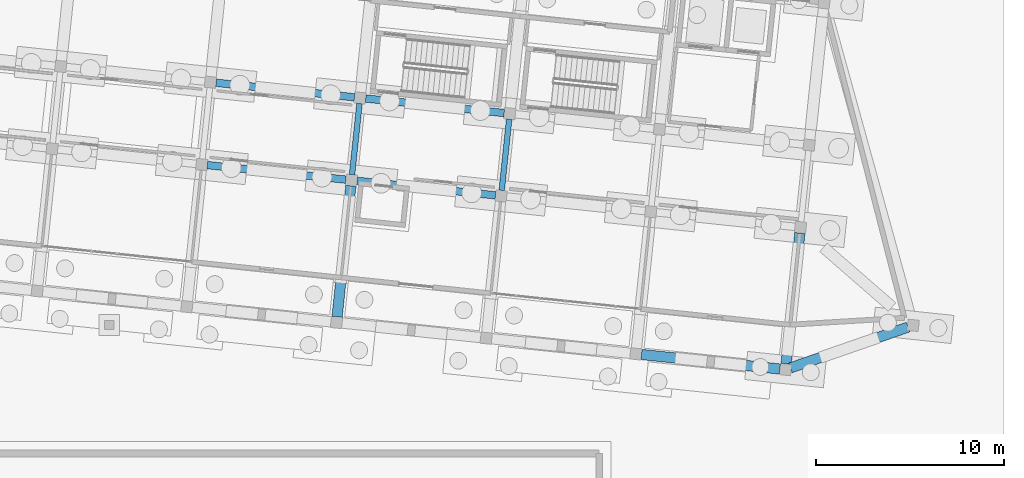
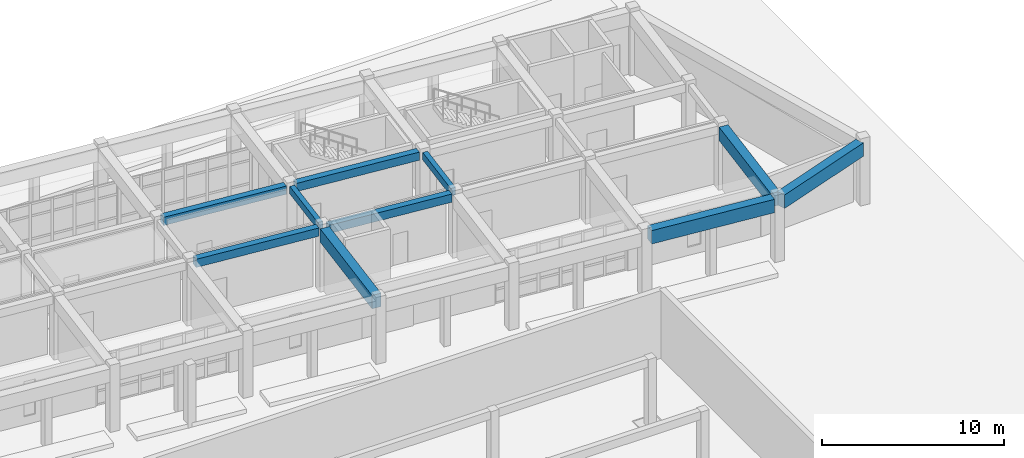
# One storey, part 97 of 154: 10 beams.
"""IFC4 building model written with IfcOpenShell, lengths in metres."""

from ifc_helpers import new_model, si_unit, direction, frame, origin, origin_2d, place, context, subcontext, project, spatial, rectangle, extrude, material, material_profile, profile_set, type_object, element, save


model = new_model("IFC4")

# Units and contexts
model_context = context("Model", 3, precision=1e-05, world=origin(), true_north=direction((0.0, 1.0)))
body_context = subcontext(model_context, "Body", "Model", "MODEL_VIEW")
ifc_project = project(units=[si_unit("LENGTHUNIT", "METRE"), si_unit("AREAUNIT", "SQUARE_METRE"), si_unit("VOLUMEUNIT", "CUBIC_METRE"), si_unit("PLANEANGLEUNIT", "RADIAN"), si_unit("MASSUNIT", "GRAM", prefix="KILO")], contexts=[model_context])

# Site, building, storey
site_placement = place(None, origin())
site = spatial("IfcSite", under=ifc_project, at=site_placement, CompositionType="ELEMENT")
building_placement = place(site_placement, origin())
building = spatial("IfcBuilding", under=site, at=building_placement, Name="Kestramere Prow Commons", CompositionType="ELEMENT")
storey_placement = place(building_placement, origin())
storey = spatial("IfcBuildingStorey", under=building, at=storey_placement, Name="L00", CompositionType="ELEMENT", Elevation=0.0)

# Beams
ifc_material = material(Name="Precast concrete C40/50", Category="concrete")
ifc_material_profile_1 = material_profile(ifc_material, rectangle(XDim=0.39990234375, YDim=0.550048828125, at=origin_2d()), Name="PC-BM 400x550")
ifc_profile_set_1 = profile_set([ifc_material_profile_1], Name="Precast concrete C40/50")
beam_type_1 = type_object("IfcBeamType", Name="BM-B1 PC-BM 400x550", PredefinedType="BEAM", material=ifc_profile_set_1)
beam_1_placement = place(storey_placement, frame((127.005126953125, 100.654541015625, 3.97509765625), z_axis=(0.994522794159, -0.104519911488, 0.0), x_axis=(0.104519911488, 0.994522794159, 0.0)))
element("IfcBeam", 1, at=beam_1_placement, inside=storey, type_object=beam_type_1, Name="Block B L00 Longitudinal Beam 2-3", PredefinedType="BEAM", context=body_context, shape_type="SweptSolid", body=[
    extrude(rectangle(XDim=0.39990234375, YDim=0.550048828125, at=origin_2d()), origin(), (0.0, 0.0, 1.0), 7.39990234375),
])
beam_2_placement = place(storey_placement, frame((134.961181640625, 99.818359375, 3.97509765625), z_axis=(0.994523154564, -0.104516482125, 0.0), x_axis=(0.104516482125, 0.994523154564, 0.0)))
element("IfcBeam", 2, at=beam_2_placement, inside=storey, type_object=beam_type_1, Name="Block B L00 Longitudinal Beam 2-4", PredefinedType="BEAM", context=body_context, shape_type="SweptSolid", body=[
    extrude(rectangle(XDim=0.39990234375, YDim=0.550048828125, at=origin_2d()), origin(), (0.0, 0.0, 1.0), 7.400146484375),
])
beam_3_placement = place(storey_placement, frame((127.465087890625, 105.030517578125, 3.97509765625), z_axis=(0.994519364161, -0.104552543293, 0.0), x_axis=(0.104552543293, 0.994519364161, 0.0)))
element("IfcBeam", 3, at=beam_3_placement, inside=storey, type_object=beam_type_1, Name="Block B L00 Longitudinal Beam 3-3", PredefinedType="BEAM", context=body_context, shape_type="SweptSolid", body=[
    extrude(rectangle(XDim=0.39990234375, YDim=0.550048828125, at=origin_2d()), origin(), (0.0, 0.0, 1.0), 7.39990234375),
])
beam_4_placement = place(storey_placement, frame((135.421142578125, 104.1943359375, 3.97509765625), z_axis=(0.994519724789, -0.104549112883, 0.0), x_axis=(0.104549112883, 0.994519724789, 0.0)))
element("IfcBeam", 4, at=beam_4_placement, inside=storey, type_object=beam_type_1, Name="Block B L00 Longitudinal Beam 3-4", PredefinedType="BEAM", context=body_context, shape_type="SweptSolid", body=[
    extrude(rectangle(XDim=0.39990234375, YDim=0.550048828125, at=origin_2d()), origin(), (0.0, 0.0, 1.0), 7.400146484375),
])
ifc_material_profile_2 = material_profile(ifc_material, rectangle(XDim=0.300048828125, YDim=0.5, at=origin_2d()), Name="PC-BM 300x500")
ifc_profile_set_2 = profile_set([ifc_material_profile_2], Name="Precast concrete C40/50")
beam_type_2 = type_object("IfcBeamType", Name="BM-TIE-01 PC-BM 300x500", PredefinedType="BEAM", material=ifc_profile_set_2)
for number, where, z_axis, x_axis, name in (
    (5, (134.6943359375, 100.14794921875, 4.0), (0.104527601494, 0.994521985944, 0.0), (-0.994521985944, 0.104527601494, 0.0), "Block B L00 Transverse Beam 4-2"),
    (6, (142.650390625, 99.311767578125, 4.0), (0.104527601494, 0.994521985944, 0.0), (-0.994521985944, 0.104527601494, 0.0), "Block B L00 Transverse Beam 5-2"),
):
    element("IfcBeam", number, at=place(storey_placement, frame(where, z_axis=z_axis, x_axis=x_axis)), inside=storey, type_object=beam_type_2, Name=name, PredefinedType="BEAM", context=body_context, shape_type="SweptSolid", body=[
        extrude(rectangle(XDim=0.300048828125, YDim=0.5, at=origin_2d()), origin(), (0.0, 0.0, 1.0), 3.800048828125),
    ])
ifc_material_profile_3 = material_profile(ifc_material, rectangle(XDim=0.550048828125, YDim=0.89990234375, at=origin_2d()), Name="PC-TG 550x900")
ifc_profile_set_3 = profile_set([ifc_material_profile_3], Name="Precast concrete C40/50")
beam_type_3 = type_object("IfcBeamType", Name="TG-01 PC-TG 550x900 (EX)", PredefinedType="BEAM", material=ifc_profile_set_3)
beam_5_placement = place(storey_placement, frame((158.00146484375, 89.87451171875, 3.800048828125), z_axis=(0.944739829863, 0.327821069901, 0.0), x_axis=(-0.327821069901, 0.944739829863, 0.0)))
element("IfcBeam", 7, at=beam_5_placement, inside=storey, type_object=beam_type_3, Name="Block B L00 Prow Facet Beam S", PredefinedType="BEAM", context=body_context, shape_type="SweptSolid", body=[
    extrude(rectangle(XDim=0.550048828125, YDim=0.89990234375, at=origin_2d()), origin(), (0.0, 0.0, 1.0), 6.619873046875),
])
beam_6_placement = place(storey_placement, frame((150.079345703125, 90.58740234375, 3.800048828125), z_axis=(0.994522794159, -0.104519911488, 0.0), x_axis=(0.104519911488, 0.994522794159, 0.0)))
element("IfcBeam", 8, at=beam_6_placement, inside=storey, type_object=beam_type_3, Name="Block B L00 Longitudinal Beam 1-6", PredefinedType="BEAM", context=body_context, shape_type="SweptSolid", body=[
    extrude(rectangle(XDim=0.550048828125, YDim=0.89990234375, at=origin_2d()), origin(), (0.0, 0.0, 1.0), 7.39990234375),
])
for number, where, z_axis, x_axis, name in (
    (9, (133.89990234375, 92.589599609375, 3.800048828125), (0.104526832686, 0.994522066748, 0.0), (-0.994522066748, 0.104526832686, 0.0), "Block B L00 S Colonnade Transfer Girder 4"),
    (10, (157.768310546875, 90.0810546875, 3.800048828125), (0.104526832686, 0.994522066748, 0.0), (-0.994522066748, 0.104526832686, 0.0), "Block B L00 S Colonnade Transfer Girder 7"),
):
    element("IfcBeam", number, at=place(storey_placement, frame(where, z_axis=z_axis, x_axis=x_axis)), inside=storey, type_object=beam_type_3, Name=name, PredefinedType="BEAM", context=body_context, shape_type="SweptSolid", body=[
        extrude(rectangle(XDim=0.550048828125, YDim=0.89990234375, at=origin_2d()), origin(), (0.0, 0.0, 1.0), 7.0),
    ])

save(model, "model.ifc")
